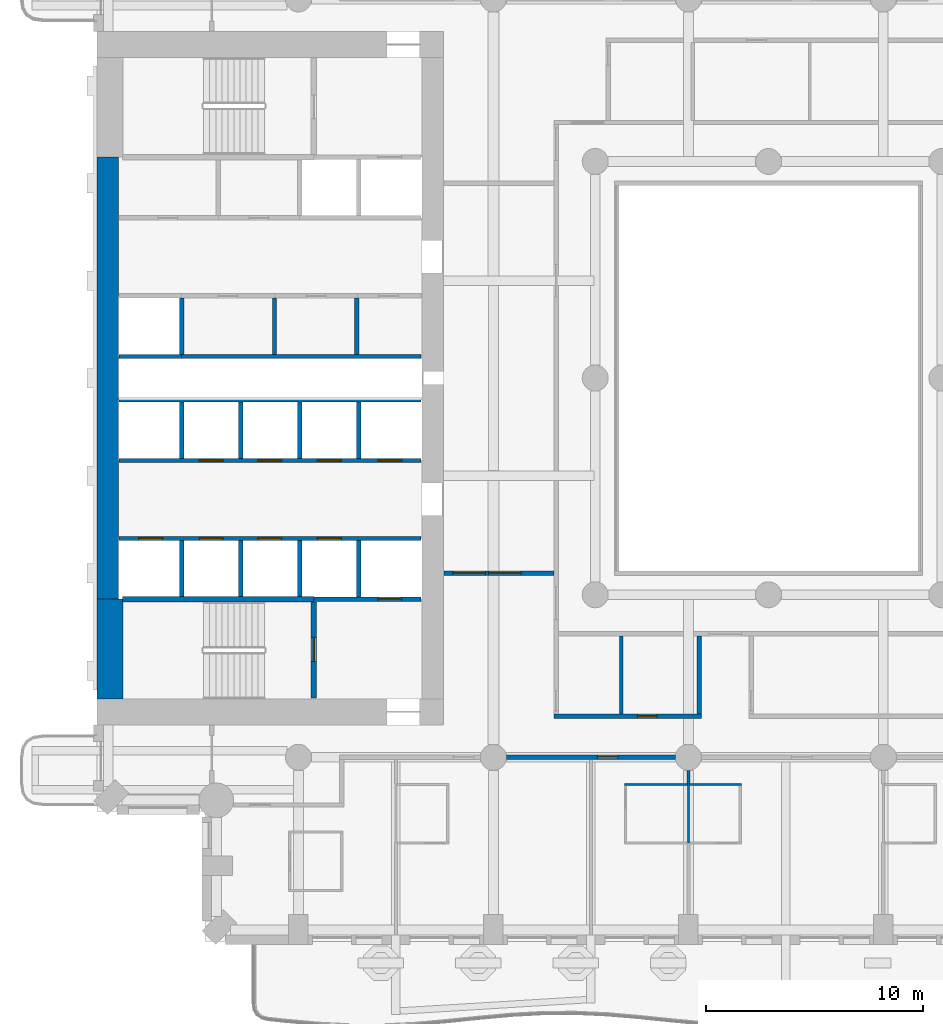
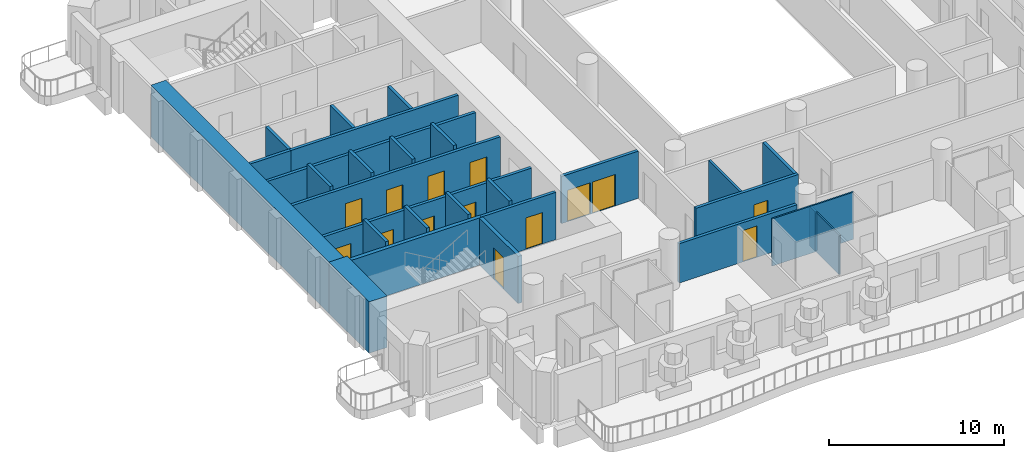
# One storey, part 4 of 20: 29 walls, 14 doors, 14 openings.
"""IFC4 building model written with IfcOpenShell, lengths in metres."""

from ifc_helpers import new_model, si_unit, direction, frame, frame_2d, origin, place, context, subcontext, project, spatial, rectangle, extrude, material, layer, layer_set, type_object, element, fill, save


model = new_model("IFC4")

# Units and contexts
model_context = context("Model", 3, precision=1e-05, world=origin(), true_north=direction((0.0, 1.0)))
body_context = subcontext(model_context, "Body", "Model", "MODEL_VIEW")
ifc_project = project(units=[si_unit("LENGTHUNIT", "METRE"), si_unit("AREAUNIT", "SQUARE_METRE"), si_unit("VOLUMEUNIT", "CUBIC_METRE"), si_unit("PLANEANGLEUNIT", "RADIAN"), si_unit("MASSUNIT", "GRAM", prefix="KILO")], contexts=[model_context])

# Site, building, storey
site_placement = place(None, origin())
site = spatial("IfcSite", under=ifc_project, at=site_placement, CompositionType="ELEMENT")
building_placement = place(site_placement, origin())
building = spatial("IfcBuilding", under=site, at=building_placement, Name="Cypress Arch Tower", CompositionType="ELEMENT")
storey_placement = place(building_placement, frame((0.0, 0.0, 91.5)))
storey = spatial("IfcBuildingStorey", under=building, at=storey_placement, Name="L17", CompositionType="ELEMENT", Elevation=91.5)

# Walls
ifc_material_1 = material(Name="Concrete C80/95", Category="concrete")
ifc_layer_1 = layer(ifc_material_1, 1.0)
ifc_layer_set_1 = layer_set([ifc_layer_1], Name="Core wall CW1000 C80/95")
wall_type_1 = type_object("IfcWallType", Name="Core wall CW1000 C80/95", PredefinedType="SHEAR", material=ifc_layer_set_1)
wall_1_placement = place(storey_placement, frame((-29.5, -10.199951171875, 0.0), z_axis=(0.0, 0.0, 1.0), x_axis=(0.0, 1.0, 0.0)))
element("IfcWall", 1, at=wall_1_placement, inside=storey, type_object=wall_type_1, Name="Core wall", PredefinedType="SHEAR", context=body_context, shape_type="SweptSolid", body=[
    extrude(rectangle(XDim=20.39990234375, YDim=1.0, at=frame_2d((10.199951171875, 0.0))), origin(), (0.0, 0.0, 1.0), 3.60009765625),
])
ifc_material_2 = material(Name="Concrete C80/95", Category="concrete")
ifc_layer_2 = layer(ifc_material_2, 1.199951171875)
ifc_layer_set_2 = layer_set([ifc_layer_2], Name="Core wall CW1200 C80/95")
wall_type_2 = type_object("IfcWallType", Name="Core wall CW1200 C80/95", PredefinedType="SHEAR", material=ifc_layer_set_2)
wall_2_placement = place(storey_placement, frame((-29.39990234375, -14.800048828125, 0.0), z_axis=(0.0, 0.0, 1.0), x_axis=(0.0, 1.0, 0.0)))
element("IfcWall", 2, at=wall_2_placement, inside=storey, type_object=wall_type_2, Name="Core wall", PredefinedType="SHEAR", context=body_context, shape_type="SweptSolid", body=[
    extrude(rectangle(XDim=4.60009765625, YDim=1.199951171875, at=frame_2d((2.300048828125, 0.0))), origin(), (0.0, 0.0, 1.0), 3.60009765625),
])

# Wall, opening, door
ifc_material_3 = material(Name="Concrete blockwork, plastered, rated", Category="masonry")
ifc_layer_3 = layer(ifc_material_3, 0.199951171875)
ifc_layer_set_3 = layer_set([ifc_layer_3], Name="Corridor wall FW200")
wall_type_3 = type_object("IfcWallType", Name="Corridor wall FW200", PredefinedType="PARTITIONING", material=ifc_layer_set_3)
wall_3_placement = place(storey_placement, frame((-11.10009765625, -17.5, 0.0), z_axis=(0.0, 0.0, 1.0), x_axis=(1.0, 0.0, 0.0)))
wall_3 = element("IfcWall", 3, at=wall_3_placement, inside=storey, type_object=wall_type_3, Name="Corridor wall", PredefinedType="PARTITIONING", context=body_context, shape_type="SweptSolid", body=[
    extrude(rectangle(XDim=7.800048828125, YDim=0.199951171875, at=frame_2d((3.89990234375, 0.0))), origin(), (0.0, 0.0, 1.0), 2.75),
])
opening_1_placement = place(wall_3_placement, frame((4.199951171875, 0.0, 0.0)))
opening_1 = element("IfcOpeningElement", 4, at=opening_1_placement, cuts=wall_3, Name="Opening D02", PredefinedType="OPENING", context=body_context, shape_type="SweptSolid", body=[
    extrude(rectangle(XDim=0.949951171875, YDim=2.199951171875, at=frame_2d((0.47509765625, 1.10009765625))), frame((0.0, 0.10986328125, 0.0), z_axis=(0.0, -1.0, 0.0), x_axis=(1.0, 0.0, 0.0)), (0.0, 0.0, 1.0), 0.219970703125),
])
ifc_material_4 = material(Name="Timber flush door, fire resisting", Category="wood")
door_type_1 = type_object("IfcDoorType", Name="Room door D02 950x2200", OperationType="SINGLE_SWING_LEFT", PredefinedType="DOOR", material=ifc_material_4)
door_1_placement = place(opening_1_placement, origin())
door_1 = element("IfcDoor", 5, at=door_1_placement, inside=storey, type_object=door_type_1, Name="Room door", OperationType="SINGLE_SWING_RIGHT", OverallHeight=2.199951171875, OverallWidth=0.949951171875, PredefinedType="DOOR", context=body_context, shape_type="SweptSolid", body=[
    extrude(rectangle(XDim=0.949951171875, YDim=2.199951171875, at=frame_2d((0.47509765625, 1.10009765625))), frame((0.0, 0.02490234375, 0.0), z_axis=(0.0, -1.0, 0.0), x_axis=(1.0, 0.0, 0.0)), (0.0, 0.0, 1.0), 0.050048828125),
])
fill(opening_1, door_1)

# Wall, openings, doors
wall_4_placement = place(storey_placement, frame((-13.969970703125, -9.0, 0.0), z_axis=(0.0, 0.0, 1.0), x_axis=(1.0, 0.0, 0.0)))
wall_4 = element("IfcWall", 6, at=wall_4_placement, inside=storey, type_object=wall_type_3, Name="Corridor wall", PredefinedType="PARTITIONING", context=body_context, shape_type="SweptSolid", body=[
    extrude(rectangle(XDim=5.070068359375, YDim=0.199951171875, at=frame_2d((2.53515625, 0.0))), origin(), (0.0, 0.0, 1.0), 3.300048828125),
])
opening_2_placement = place(wall_4_placement, frame((0.39990234375, 0.0, 0.0)))
opening_2 = element("IfcOpeningElement", 7, at=opening_2_placement, cuts=wall_4, Name="Opening D04", PredefinedType="OPENING", context=body_context, shape_type="SweptSolid", body=[
    extrude(rectangle(XDim=1.5, YDim=2.199951171875, at=frame_2d((0.75, 1.10009765625))), frame((0.0, 0.10986328125, 0.0), z_axis=(0.0, -1.0, 0.0), x_axis=(1.0, 0.0, 0.0)), (0.0, 0.0, 1.0), 0.219970703125),
])
opening_3_placement = place(wall_4_placement, frame((2.050048828125, 0.0, 0.0)))
opening_3 = element("IfcOpeningElement", 8, at=opening_3_placement, cuts=wall_4, Name="Opening D04", PredefinedType="OPENING", context=body_context, shape_type="SweptSolid", body=[
    extrude(rectangle(XDim=1.5, YDim=2.199951171875, at=frame_2d((0.75, 1.10009765625))), frame((0.0, 0.10986328125, 0.0), z_axis=(0.0, -1.0, 0.0), x_axis=(1.0, 0.0, 0.0)), (0.0, 0.0, 1.0), 0.219970703125),
])
ifc_material_5 = material(Name="Timber double door", Category="wood")
door_type_2 = type_object("IfcDoorType", Name="Double door D04 1500x2200", OperationType="DOUBLE_DOOR_SINGLE_SWING", PredefinedType="DOOR", material=ifc_material_5)
door_2_placement = place(opening_2_placement, origin())
door_2 = element("IfcDoor", 9, at=door_2_placement, inside=storey, type_object=door_type_2, Name="Double door", OperationType="DOUBLE_DOOR_SINGLE_SWING", OverallHeight=2.199951171875, OverallWidth=1.5, PredefinedType="DOOR", context=body_context, shape_type="SweptSolid", body=[
    extrude(rectangle(XDim=1.5, YDim=2.199951171875, at=frame_2d((0.75, 1.10009765625))), frame((0.0, 0.02490234375, 0.0), z_axis=(0.0, -1.0, 0.0), x_axis=(1.0, 0.0, 0.0)), (0.0, 0.0, 1.0), 0.050048828125),
])
fill(opening_2, door_2)
door_3_placement = place(opening_3_placement, origin())
door_3 = element("IfcDoor", 10, at=door_3_placement, inside=storey, type_object=door_type_2, Name="Double door", OperationType="DOUBLE_DOOR_SINGLE_SWING", OverallHeight=2.199951171875, OverallWidth=1.5, PredefinedType="DOOR", context=body_context, shape_type="SweptSolid", body=[
    extrude(rectangle(XDim=1.5, YDim=2.199951171875, at=frame_2d((0.75, 1.10009765625))), frame((0.0, 0.02490234375, 0.0), z_axis=(0.0, -1.0, 0.0), x_axis=(1.0, 0.0, 0.0)), (0.0, 0.0, 1.0), 0.050048828125),
])
fill(opening_3, door_3)

# Wall, opening, door
wall_5_placement = place(storey_placement, frame((-8.89990234375, -15.60009765625, 0.0), z_axis=(0.0, 0.0, 1.0), x_axis=(1.0, 0.0, 0.0)))
wall_5 = element("IfcWall", 11, at=wall_5_placement, inside=storey, type_object=wall_type_3, Name="Corridor wall", PredefinedType="PARTITIONING", context=body_context, shape_type="SweptSolid", body=[
    extrude(rectangle(XDim=6.7998046875, YDim=0.199951171875, at=frame_2d((3.39990234375, 0.0))), origin(), (0.0, 0.0, 1.0), 3.300048828125),
])
opening_4_placement = place(wall_5_placement, frame((3.85009765625, 0.0, 0.0)))
opening_4 = element("IfcOpeningElement", 12, at=opening_4_placement, cuts=wall_5, Name="Opening D05", PredefinedType="OPENING", context=body_context, shape_type="SweptSolid", body=[
    extrude(rectangle(XDim=0.89990234375, YDim=2.199951171875, at=frame_2d((0.449951171875, 1.10009765625))), frame((0.0, 0.10986328125, 0.0), z_axis=(0.0, -1.0, 0.0), x_axis=(1.0, 0.0, 0.0)), (0.0, 0.0, 1.0), 0.219970703125),
])
ifc_material_6 = material(Name="Timber flush door", Category="wood")
door_type_3 = type_object("IfcDoorType", Name="Service door D05 900x2200", OperationType="SINGLE_SWING_LEFT", PredefinedType="DOOR", material=ifc_material_6)
door_4_placement = place(opening_4_placement, origin())
door_4 = element("IfcDoor", 13, at=door_4_placement, inside=storey, type_object=door_type_3, Name="Service door", OperationType="SINGLE_SWING_LEFT", OverallHeight=2.199951171875, OverallWidth=0.89990234375, PredefinedType="DOOR", context=body_context, shape_type="SweptSolid", body=[
    extrude(rectangle(XDim=0.89990234375, YDim=2.199951171875, at=frame_2d((0.449951171875, 1.10009765625))), frame((0.0, 0.02490234375, 0.0), z_axis=(0.0, -1.0, 0.0), x_axis=(1.0, 0.0, 0.0)), (0.0, 0.0, 1.0), 0.050048828125),
])
fill(opening_4, door_4)

# Walls
wall_6_placement = place(storey_placement, frame((-2.199951171875, -15.5, 0.0), z_axis=(0.0, 0.0, 1.0), x_axis=(0.0, 1.0, 0.0)))
element("IfcWall", 14, at=wall_6_placement, inside=storey, type_object=wall_type_3, Name="Corridor wall", PredefinedType="PARTITIONING", context=body_context, shape_type="SweptSolid", body=[
    extrude(rectangle(XDim=3.60009765625, YDim=0.199951171875, at=frame_2d((1.800048828125, 0.0))), origin(), (0.0, 0.0, 1.0), 3.300048828125),
])
ifc_material_7 = material(Name="Blockwork, plastered both sides", Category="masonry")
ifc_layer_4 = layer(ifc_material_7, 0.14990234375)
ifc_layer_set_4 = layer_set([ifc_layer_4], Name="Partition PW150")
wall_type_4 = type_object("IfcWallType", Name="Partition PW150", PredefinedType="PARTITIONING", material=ifc_layer_set_4)
wall_7_placement = place(storey_placement, frame((-5.800048828125, -15.5, 0.0), z_axis=(0.0, 0.0, 1.0), x_axis=(0.0, 1.0, 0.0)))
element("IfcWall", 15, at=wall_7_placement, inside=storey, type_object=wall_type_4, Name="Partition", PredefinedType="PARTITIONING", context=body_context, shape_type="SweptSolid", body=[
    extrude(rectangle(XDim=3.60009765625, YDim=0.14990234375, at=frame_2d((1.800048828125, 0.0))), origin(), (0.0, 0.0, 1.0), 3.300048828125),
])
wall_8_placement = place(storey_placement, frame((-2.699951171875, -18.72998046875, 0.0), z_axis=(0.0, 0.0, 1.0), x_axis=(0.0, 1.0, 0.0)))
element("IfcWall", 16, at=wall_8_placement, inside=storey, type_object=wall_type_4, Name="Partition", PredefinedType="PARTITIONING", context=body_context, shape_type="SweptSolid", body=[
    extrude(rectangle(XDim=0.6298828125, YDim=0.14990234375, at=frame_2d((0.31494140625, 0.0))), origin(), (0.0, 0.0, 1.0), 2.75),
])
ifc_material_8 = material(Name="Reinforced blockwork, plastered, rated", Category="masonry")
ifc_layer_5 = layer(ifc_material_8, 0.199951171875)
ifc_layer_set_5 = layer_set([ifc_layer_5], Name="Plant and riser wall PL200")
wall_type_5 = type_object("IfcWallType", Name="Plant and riser wall PL200", PredefinedType="PARTITIONING", material=ifc_layer_set_5)
wall_9_placement = place(storey_placement, frame((-26.10009765625, 1.0, 0.0), z_axis=(0.0, 0.0, 1.0), x_axis=(1.0, 0.0, 0.0)))
element("IfcWall", 17, at=wall_9_placement, inside=storey, type_object=wall_type_5, Name="Plant and riser wall", PredefinedType="PARTITIONING", context=body_context, shape_type="SweptSolid", body=[
    extrude(rectangle(XDim=11.070068359375, YDim=0.199951171875, at=frame_2d((5.53515625, 0.0))), origin(), (0.0, 0.0, 1.0), 3.300048828125),
])
for number, where, z_axis, x_axis, name in (
    (18, (-21.800048828125, 1.10009765625, 0.0), (0.0, 0.0, 1.0), (0.0, 1.0, 0.0), "Plant and riser wall"),
    (19, (-18.0, 1.10009765625, 0.0), (0.0, 0.0, 1.0), (0.0, 1.0, 0.0), "Plant and riser wall"),
):
    element("IfcWall", number, at=place(storey_placement, frame(where, z_axis=z_axis, x_axis=x_axis)), inside=storey, type_object=wall_type_5, Name=name, PredefinedType="PARTITIONING", context=body_context, shape_type="SweptSolid", body=[
        extrude(rectangle(XDim=2.599853515625, YDim=0.199951171875, at=frame_2d((1.2998046875, 0.0))), origin(), (0.0, 0.0, 1.0), 3.300048828125),
    ])

# Wall, openings, doors
ifc_material_9 = material(Name="Concrete C50/60", Category="concrete")
ifc_layer_6 = layer(ifc_material_9, 0.199951171875)
ifc_layer_set_6 = layer_set([ifc_layer_6], Name="Shaft wall SH200")
wall_type_6 = type_object("IfcWallType", Name="Shaft wall SH200", PredefinedType="SHEAR", material=ifc_layer_set_6)
wall_10_placement = place(storey_placement, frame((-28.969970703125, -7.39990234375, 0.0), z_axis=(0.0, 0.0, 1.0), x_axis=(1.0, 0.0, 0.0)))
wall_10 = element("IfcWall", 20, at=wall_10_placement, inside=storey, type_object=wall_type_6, Name="Shaft wall", PredefinedType="SHEAR", context=body_context, shape_type="SweptSolid", body=[
    extrude(rectangle(XDim=13.93994140625, YDim=0.199951171875, at=frame_2d((6.969970703125, 0.0))), origin(), (0.0, 0.0, 1.0), 3.300048828125),
])
opening_5_placement = place(wall_10_placement, frame((0.89990234375, 0.0, 0.0)))
opening_5 = element("IfcOpeningElement", 21, at=opening_5_placement, cuts=wall_10, Name="Opening LD-LR1", PredefinedType="OPENING", context=body_context, shape_type="SweptSolid", body=[
    extrude(rectangle(XDim=1.10009765625, YDim=2.199951171875, at=frame_2d((0.550048828125, 1.10009765625))), frame((0.0, 0.10986328125, 0.0), z_axis=(0.0, -1.0, 0.0), x_axis=(1.0, 0.0, 0.0)), (0.0, 0.0, 1.0), 0.219970703125),
])
opening_6_placement = place(wall_10_placement, frame((3.699951171875, 0.0, 0.0)))
opening_6 = element("IfcOpeningElement", 22, at=opening_6_placement, cuts=wall_10, Name="Opening LD-LR2", PredefinedType="OPENING", context=body_context, shape_type="SweptSolid", body=[
    extrude(rectangle(XDim=1.10009765625, YDim=2.199951171875, at=frame_2d((0.550048828125, 1.10009765625))), frame((0.0, 0.10986328125, 0.0), z_axis=(0.0, -1.0, 0.0), x_axis=(1.0, 0.0, 0.0)), (0.0, 0.0, 1.0), 0.219970703125),
])
opening_7_placement = place(wall_10_placement, frame((6.39990234375, 0.0, 0.0)))
opening_7 = element("IfcOpeningElement", 23, at=opening_7_placement, cuts=wall_10, Name="Opening LD-LR3", PredefinedType="OPENING", context=body_context, shape_type="SweptSolid", body=[
    extrude(rectangle(XDim=1.10009765625, YDim=2.199951171875, at=frame_2d((0.550048828125, 1.10009765625))), frame((0.0, 0.10986328125, 0.0), z_axis=(0.0, -1.0, 0.0), x_axis=(1.0, 0.0, 0.0)), (0.0, 0.0, 1.0), 0.219970703125),
])
opening_8_placement = place(wall_10_placement, frame((9.14990234375, 0.0, 0.0)))
opening_8 = element("IfcOpeningElement", 24, at=opening_8_placement, cuts=wall_10, Name="Opening LD-LR4", PredefinedType="OPENING", context=body_context, shape_type="SweptSolid", body=[
    extrude(rectangle(XDim=1.10009765625, YDim=2.199951171875, at=frame_2d((0.550048828125, 1.10009765625))), frame((0.0, 0.10986328125, 0.0), z_axis=(0.0, -1.0, 0.0), x_axis=(1.0, 0.0, 0.0)), (0.0, 0.0, 1.0), 0.219970703125),
])
ifc_material_10 = material(Name="Stainless steel centre-opening landing door, rated", Category="steel")
door_type_4 = type_object("IfcDoorType", Name="Lift landing door LD 1100x2200", OperationType="DOUBLE_DOOR_SLIDING", PredefinedType="DOOR", material=ifc_material_10)
door_5_placement = place(opening_5_placement, origin())
door_5 = element("IfcDoor", 25, at=door_5_placement, inside=storey, type_object=door_type_4, Name="Lift landing doors LR1", OperationType="DOUBLE_DOOR_SLIDING", OverallHeight=2.199951171875, OverallWidth=1.10009765625, PredefinedType="DOOR", context=body_context, shape_type="SweptSolid", body=[
    extrude(rectangle(XDim=1.10009765625, YDim=2.199951171875, at=frame_2d((0.550048828125, 1.10009765625))), frame((0.0, 0.02490234375, 0.0), z_axis=(0.0, -1.0, 0.0), x_axis=(1.0, 0.0, 0.0)), (0.0, 0.0, 1.0), 0.050048828125),
])
fill(opening_5, door_5)
door_6_placement = place(opening_6_placement, origin())
door_6 = element("IfcDoor", 26, at=door_6_placement, inside=storey, type_object=door_type_4, Name="Lift landing doors LR2", OperationType="DOUBLE_DOOR_SLIDING", OverallHeight=2.199951171875, OverallWidth=1.10009765625, PredefinedType="DOOR", context=body_context, shape_type="SweptSolid", body=[
    extrude(rectangle(XDim=1.10009765625, YDim=2.199951171875, at=frame_2d((0.550048828125, 1.10009765625))), frame((0.0, 0.02490234375, 0.0), z_axis=(0.0, -1.0, 0.0), x_axis=(1.0, 0.0, 0.0)), (0.0, 0.0, 1.0), 0.050048828125),
])
fill(opening_6, door_6)
door_7_placement = place(opening_7_placement, origin())
door_7 = element("IfcDoor", 27, at=door_7_placement, inside=storey, type_object=door_type_4, Name="Lift landing doors LR3", OperationType="DOUBLE_DOOR_SLIDING", OverallHeight=2.199951171875, OverallWidth=1.10009765625, PredefinedType="DOOR", context=body_context, shape_type="SweptSolid", body=[
    extrude(rectangle(XDim=1.10009765625, YDim=2.199951171875, at=frame_2d((0.550048828125, 1.10009765625))), frame((0.0, 0.02490234375, 0.0), z_axis=(0.0, -1.0, 0.0), x_axis=(1.0, 0.0, 0.0)), (0.0, 0.0, 1.0), 0.050048828125),
])
fill(opening_7, door_7)
door_8_placement = place(opening_8_placement, origin())
door_8 = element("IfcDoor", 28, at=door_8_placement, inside=storey, type_object=door_type_4, Name="Lift landing doors LR4", OperationType="DOUBLE_DOOR_SLIDING", OverallHeight=2.199951171875, OverallWidth=1.10009765625, PredefinedType="DOOR", context=body_context, shape_type="SweptSolid", body=[
    extrude(rectangle(XDim=1.10009765625, YDim=2.199951171875, at=frame_2d((0.550048828125, 1.10009765625))), frame((0.0, 0.02490234375, 0.0), z_axis=(0.0, -1.0, 0.0), x_axis=(1.0, 0.0, 0.0)), (0.0, 0.0, 1.0), 0.050048828125),
])
fill(opening_8, door_8)

wall_11_placement = place(storey_placement, frame((-28.969970703125, -3.800048828125, 0.0), z_axis=(0.0, 0.0, 1.0), x_axis=(1.0, 0.0, 0.0)))
wall_11 = element("IfcWall", 29, at=wall_11_placement, inside=storey, type_object=wall_type_6, Name="Shaft wall", PredefinedType="SHEAR", context=body_context, shape_type="SweptSolid", body=[
    extrude(rectangle(XDim=13.93994140625, YDim=0.199951171875, at=frame_2d((6.969970703125, 0.0))), origin(), (0.0, 0.0, 1.0), 3.300048828125),
])
opening_9_placement = place(wall_11_placement, frame((3.699951171875, 0.0, 0.0)))
opening_9 = element("IfcOpeningElement", 30, at=opening_9_placement, cuts=wall_11, Name="Opening LD-LR5", PredefinedType="OPENING", context=body_context, shape_type="SweptSolid", body=[
    extrude(rectangle(XDim=1.10009765625, YDim=2.199951171875, at=frame_2d((0.550048828125, 1.10009765625))), frame((0.0, 0.10986328125, 0.0), z_axis=(0.0, -1.0, 0.0), x_axis=(1.0, 0.0, 0.0)), (0.0, 0.0, 1.0), 0.219970703125),
])
opening_10_placement = place(wall_11_placement, frame((6.39990234375, 0.0, 0.0)))
opening_10 = element("IfcOpeningElement", 31, at=opening_10_placement, cuts=wall_11, Name="Opening LD-LR6", PredefinedType="OPENING", context=body_context, shape_type="SweptSolid", body=[
    extrude(rectangle(XDim=1.10009765625, YDim=2.199951171875, at=frame_2d((0.550048828125, 1.10009765625))), frame((0.0, 0.10986328125, 0.0), z_axis=(0.0, -1.0, 0.0), x_axis=(1.0, 0.0, 0.0)), (0.0, 0.0, 1.0), 0.219970703125),
])
opening_11_placement = place(wall_11_placement, frame((9.14990234375, 0.0, 0.0)))
opening_11 = element("IfcOpeningElement", 32, at=opening_11_placement, cuts=wall_11, Name="Opening LD-LR7", PredefinedType="OPENING", context=body_context, shape_type="SweptSolid", body=[
    extrude(rectangle(XDim=1.10009765625, YDim=2.199951171875, at=frame_2d((0.550048828125, 1.10009765625))), frame((0.0, 0.10986328125, 0.0), z_axis=(0.0, -1.0, 0.0), x_axis=(1.0, 0.0, 0.0)), (0.0, 0.0, 1.0), 0.219970703125),
])
opening_12_placement = place(wall_11_placement, frame((11.949951171875, 0.0, 0.0)))
opening_12 = element("IfcOpeningElement", 33, at=opening_12_placement, cuts=wall_11, Name="Opening LD-LR8", PredefinedType="OPENING", context=body_context, shape_type="SweptSolid", body=[
    extrude(rectangle(XDim=1.10009765625, YDim=2.199951171875, at=frame_2d((0.550048828125, 1.10009765625))), frame((0.0, 0.10986328125, 0.0), z_axis=(0.0, -1.0, 0.0), x_axis=(1.0, 0.0, 0.0)), (0.0, 0.0, 1.0), 0.219970703125),
])
door_9_placement = place(opening_9_placement, origin())
door_9 = element("IfcDoor", 34, at=door_9_placement, inside=storey, type_object=door_type_4, Name="Lift landing doors LR5", OperationType="DOUBLE_DOOR_SLIDING", OverallHeight=2.199951171875, OverallWidth=1.10009765625, PredefinedType="DOOR", context=body_context, shape_type="SweptSolid", body=[
    extrude(rectangle(XDim=1.10009765625, YDim=2.199951171875, at=frame_2d((0.550048828125, 1.10009765625))), frame((0.0, 0.02490234375, 0.0), z_axis=(0.0, -1.0, 0.0), x_axis=(1.0, 0.0, 0.0)), (0.0, 0.0, 1.0), 0.050048828125),
])
fill(opening_9, door_9)
door_10_placement = place(opening_10_placement, origin())
door_10 = element("IfcDoor", 35, at=door_10_placement, inside=storey, type_object=door_type_4, Name="Lift landing doors LR6", OperationType="DOUBLE_DOOR_SLIDING", OverallHeight=2.199951171875, OverallWidth=1.10009765625, PredefinedType="DOOR", context=body_context, shape_type="SweptSolid", body=[
    extrude(rectangle(XDim=1.10009765625, YDim=2.199951171875, at=frame_2d((0.550048828125, 1.10009765625))), frame((0.0, 0.02490234375, 0.0), z_axis=(0.0, -1.0, 0.0), x_axis=(1.0, 0.0, 0.0)), (0.0, 0.0, 1.0), 0.050048828125),
])
fill(opening_10, door_10)
door_11_placement = place(opening_11_placement, origin())
door_11 = element("IfcDoor", 36, at=door_11_placement, inside=storey, type_object=door_type_4, Name="Lift landing doors LR7", OperationType="DOUBLE_DOOR_SLIDING", OverallHeight=2.199951171875, OverallWidth=1.10009765625, PredefinedType="DOOR", context=body_context, shape_type="SweptSolid", body=[
    extrude(rectangle(XDim=1.10009765625, YDim=2.199951171875, at=frame_2d((0.550048828125, 1.10009765625))), frame((0.0, 0.02490234375, 0.0), z_axis=(0.0, -1.0, 0.0), x_axis=(1.0, 0.0, 0.0)), (0.0, 0.0, 1.0), 0.050048828125),
])
fill(opening_11, door_11)
door_12_placement = place(opening_12_placement, origin())
door_12 = element("IfcDoor", 37, at=door_12_placement, inside=storey, type_object=door_type_4, Name="Lift landing doors LR8", OperationType="DOUBLE_DOOR_SLIDING", OverallHeight=2.199951171875, OverallWidth=1.10009765625, PredefinedType="DOOR", context=body_context, shape_type="SweptSolid", body=[
    extrude(rectangle(XDim=1.10009765625, YDim=2.199951171875, at=frame_2d((0.550048828125, 1.10009765625))), frame((0.0, 0.02490234375, 0.0), z_axis=(0.0, -1.0, 0.0), x_axis=(1.0, 0.0, 0.0)), (0.0, 0.0, 1.0), 0.050048828125),
])
fill(opening_12, door_12)

# Walls
wall_12_placement = place(storey_placement, frame((-28.969970703125, -1.0, 0.0), z_axis=(0.0, 0.0, 1.0), x_axis=(1.0, 0.0, 0.0)))
element("IfcWall", 38, at=wall_12_placement, inside=storey, type_object=wall_type_6, Name="Shaft wall", PredefinedType="SHEAR", context=body_context, shape_type="SweptSolid", body=[
    extrude(rectangle(XDim=13.93994140625, YDim=0.199951171875, at=frame_2d((6.969970703125, 0.0))), origin(), (0.0, 0.0, 1.0), 3.300048828125),
])
wall_13_placement = place(storey_placement, frame((-28.969970703125, 1.0, 0.0), z_axis=(0.0, 0.0, 1.0), x_axis=(1.0, 0.0, 0.0)))
element("IfcWall", 39, at=wall_13_placement, inside=storey, type_object=wall_type_6, Name="Shaft wall", PredefinedType="SHEAR", context=body_context, shape_type="SweptSolid", body=[
    extrude(rectangle(XDim=2.869873046875, YDim=0.199951171875, at=frame_2d((1.43505859375, 0.0))), origin(), (0.0, 0.0, 1.0), 3.300048828125),
])
wall_14_placement = place(storey_placement, frame((-26.080078125, -10.074951171875, 0.0), z_axis=(0.0, 0.0, 1.0), x_axis=(0.0, 1.0, 0.0)))
element("IfcWall", 40, at=wall_14_placement, inside=storey, type_object=wall_type_6, Name="Shaft wall", PredefinedType="SHEAR", context=body_context, shape_type="SweptSolid", body=[
    extrude(rectangle(XDim=2.574951171875, YDim=0.199951171875, at=frame_2d((1.28759765625, 0.0))), origin(), (0.0, 0.0, 1.0), 3.60009765625),
])
wall_15_placement = place(storey_placement, frame((-26.080078125, -3.699951171875, 0.0), z_axis=(0.0, 0.0, 1.0), x_axis=(0.0, 1.0, 0.0)))
element("IfcWall", 41, at=wall_15_placement, inside=storey, type_object=wall_type_6, Name="Shaft wall", PredefinedType="SHEAR", context=body_context, shape_type="SweptSolid", body=[
    extrude(rectangle(XDim=2.599853515625, YDim=0.199951171875, at=frame_2d((1.2998046875, 0.0))), origin(), (0.0, 0.0, 1.0), 3.60009765625),
])
wall_16_placement = place(storey_placement, frame((-26.080078125, 1.10009765625, 0.0), z_axis=(0.0, 0.0, 1.0), x_axis=(0.0, 1.0, 0.0)))
element("IfcWall", 42, at=wall_16_placement, inside=storey, type_object=wall_type_6, Name="Shaft wall", PredefinedType="SHEAR", context=body_context, shape_type="SweptSolid", body=[
    extrude(rectangle(XDim=2.599853515625, YDim=0.199951171875, at=frame_2d((1.2998046875, 0.0))), origin(), (0.0, 0.0, 1.0), 3.300048828125),
])
wall_17_placement = place(storey_placement, frame((-23.360107421875, -10.074951171875, 0.0), z_axis=(0.0, 0.0, 1.0), x_axis=(0.0, 1.0, 0.0)))
element("IfcWall", 43, at=wall_17_placement, inside=storey, type_object=wall_type_6, Name="Shaft wall", PredefinedType="SHEAR", context=body_context, shape_type="SweptSolid", body=[
    extrude(rectangle(XDim=2.574951171875, YDim=0.199951171875, at=frame_2d((1.28759765625, 0.0))), origin(), (0.0, 0.0, 1.0), 3.60009765625),
])
wall_18_placement = place(storey_placement, frame((-23.360107421875, -3.699951171875, 0.0), z_axis=(0.0, 0.0, 1.0), x_axis=(0.0, 1.0, 0.0)))
element("IfcWall", 44, at=wall_18_placement, inside=storey, type_object=wall_type_6, Name="Shaft wall", PredefinedType="SHEAR", context=body_context, shape_type="SweptSolid", body=[
    extrude(rectangle(XDim=2.599853515625, YDim=0.199951171875, at=frame_2d((1.2998046875, 0.0))), origin(), (0.0, 0.0, 1.0), 3.60009765625),
])
wall_19_placement = place(storey_placement, frame((-20.639892578125, -10.074951171875, 0.0), z_axis=(0.0, 0.0, 1.0), x_axis=(0.0, 1.0, 0.0)))
element("IfcWall", 45, at=wall_19_placement, inside=storey, type_object=wall_type_6, Name="Shaft wall", PredefinedType="SHEAR", context=body_context, shape_type="SweptSolid", body=[
    extrude(rectangle(XDim=2.574951171875, YDim=0.199951171875, at=frame_2d((1.28759765625, 0.0))), origin(), (0.0, 0.0, 1.0), 3.60009765625),
])
wall_20_placement = place(storey_placement, frame((-20.639892578125, -3.699951171875, 0.0), z_axis=(0.0, 0.0, 1.0), x_axis=(0.0, 1.0, 0.0)))
element("IfcWall", 46, at=wall_20_placement, inside=storey, type_object=wall_type_6, Name="Shaft wall", PredefinedType="SHEAR", context=body_context, shape_type="SweptSolid", body=[
    extrude(rectangle(XDim=2.599853515625, YDim=0.199951171875, at=frame_2d((1.2998046875, 0.0))), origin(), (0.0, 0.0, 1.0), 3.60009765625),
])

# Wall, opening, door
wall_21_placement = place(storey_placement, frame((-19.97998046875, -10.199951171875, 0.0), z_axis=(0.0, 0.0, 1.0), x_axis=(1.0, 0.0, 0.0)))
wall_21 = element("IfcWall", 47, at=wall_21_placement, inside=storey, type_object=wall_type_6, Name="Shaft wall", PredefinedType="SHEAR", context=body_context, shape_type="SweptSolid", body=[
    extrude(rectangle(XDim=4.949951171875, YDim=0.199951171875, at=frame_2d((2.47509765625, 0.0))), origin(), (0.0, 0.0, 1.0), 3.300048828125),
])
opening_13_placement = place(wall_21_placement, frame((2.949951171875, 0.0, 0.0)))
opening_13 = element("IfcOpeningElement", 48, at=opening_13_placement, cuts=wall_21, Name="Opening LD-FL1", PredefinedType="OPENING", context=body_context, shape_type="SweptSolid", body=[
    extrude(rectangle(XDim=1.10009765625, YDim=2.199951171875, at=frame_2d((0.550048828125, 1.10009765625))), frame((0.0, 0.10986328125, 0.0), z_axis=(0.0, -1.0, 0.0), x_axis=(1.0, 0.0, 0.0)), (0.0, 0.0, 1.0), 0.219970703125),
])
door_13_placement = place(opening_13_placement, origin())
door_13 = element("IfcDoor", 49, at=door_13_placement, inside=storey, type_object=door_type_4, Name="Lift landing doors FL1", OperationType="DOUBLE_DOOR_SLIDING", OverallHeight=2.199951171875, OverallWidth=1.10009765625, PredefinedType="DOOR", context=body_context, shape_type="SweptSolid", body=[
    extrude(rectangle(XDim=1.10009765625, YDim=2.199951171875, at=frame_2d((0.550048828125, 1.10009765625))), frame((0.0, 0.02490234375, 0.0), z_axis=(0.0, -1.0, 0.0), x_axis=(1.0, 0.0, 0.0)), (0.0, 0.0, 1.0), 0.050048828125),
])
fill(opening_13, door_13)

# Walls
wall_22_placement = place(storey_placement, frame((-17.919921875, -10.10009765625, 0.0), z_axis=(0.0, 0.0, 1.0), x_axis=(0.0, 1.0, 0.0)))
element("IfcWall", 50, at=wall_22_placement, inside=storey, type_object=wall_type_6, Name="Shaft wall", PredefinedType="SHEAR", context=body_context, shape_type="SweptSolid", body=[
    extrude(rectangle(XDim=2.60009765625, YDim=0.199951171875, at=frame_2d((1.300048828125, 0.0))), origin(), (0.0, 0.0, 1.0), 3.60009765625),
])
wall_23_placement = place(storey_placement, frame((-17.919921875, -3.699951171875, 0.0), z_axis=(0.0, 0.0, 1.0), x_axis=(0.0, 1.0, 0.0)))
element("IfcWall", 51, at=wall_23_placement, inside=storey, type_object=wall_type_6, Name="Shaft wall", PredefinedType="SHEAR", context=body_context, shape_type="SweptSolid", body=[
    extrude(rectangle(XDim=2.599853515625, YDim=0.199951171875, at=frame_2d((1.2998046875, 0.0))), origin(), (0.0, 0.0, 1.0), 3.60009765625),
])
ifc_material_11 = material(Name="Concrete C50/60", Category="concrete")
ifc_layer_7 = layer(ifc_material_11, 0.25)
ifc_layer_set_7 = layer_set([ifc_layer_7], Name="Stair enclosure wall SW250")
wall_type_7 = type_object("IfcWallType", Name="Stair enclosure wall SW250", PredefinedType="SHEAR", material=ifc_layer_set_7)
wall_24_placement = place(storey_placement, frame((-28.81005859375, -10.199951171875, 0.0), z_axis=(0.0, 0.0, 1.0), x_axis=(1.0, 0.0, 0.0)))
element("IfcWall", 52, at=wall_24_placement, inside=storey, type_object=wall_type_7, Name="Stair enclosure wall", PredefinedType="SHEAR", context=body_context, shape_type="SweptSolid", body=[
    extrude(rectangle(XDim=8.830078125, YDim=0.25, at=frame_2d((4.4150390625, 0.0))), origin(), (0.0, 0.0, 1.0), 3.300048828125),
])

# Wall, opening, door
wall_25_placement = place(storey_placement, frame((-20.0, -14.77001953125, 0.0), z_axis=(0.0, 0.0, 1.0), x_axis=(0.0, 1.0, 0.0)))
wall_25 = element("IfcWall", 53, at=wall_25_placement, inside=storey, type_object=wall_type_7, Name="Stair enclosure wall", PredefinedType="SHEAR", context=body_context, shape_type="SweptSolid", body=[
    extrude(rectangle(XDim=4.445068359375, YDim=0.25, at=frame_2d((2.22265625, 0.0))), origin(), (0.0, 0.0, 1.0), 3.300048828125),
])
opening_14_placement = place(wall_25_placement, frame((1.699951171875, 0.0, 0.0)))
opening_14 = element("IfcOpeningElement", 54, at=opening_14_placement, cuts=wall_25, Name="Opening D06", PredefinedType="OPENING", context=body_context, shape_type="SweptSolid", body=[
    extrude(rectangle(XDim=1.10009765625, YDim=2.199951171875, at=frame_2d((0.550048828125, 1.10009765625))), frame((0.0, 0.135009765625, 0.0), z_axis=(0.0, -1.0, 0.0), x_axis=(1.0, 0.0, 0.0)), (0.0, 0.0, 1.0), 0.27001953125),
])
ifc_material_12 = material(Name="Steel door, fire resisting, panic bar", Category="steel")
door_type_5 = type_object("IfcDoorType", Name="Stair door D06 1100x2200", OperationType="SINGLE_SWING_LEFT", PredefinedType="DOOR", material=ifc_material_12)
door_14_placement = place(opening_14_placement, origin())
door_14 = element("IfcDoor", 55, at=door_14_placement, inside=storey, type_object=door_type_5, Name="Stair door", OperationType="SINGLE_SWING_RIGHT", OverallHeight=2.199951171875, OverallWidth=1.10009765625, PredefinedType="DOOR", context=body_context, shape_type="SweptSolid", body=[
    extrude(rectangle(XDim=1.10009765625, YDim=2.199951171875, at=frame_2d((0.550048828125, 1.10009765625))), frame((0.0, 0.02490234375, 0.0), z_axis=(0.0, -1.0, 0.0), x_axis=(1.0, 0.0, 0.0)), (0.0, 0.0, 1.0), 0.050048828125),
])
fill(opening_14, door_14)

# Walls
ifc_material_13 = material(Name="Moisture resistant board on steel studs, tiled", Category="steel")
ifc_layer_8 = layer(ifc_material_13, 0.10009765625)
ifc_layer_set_8 = layer_set([ifc_layer_8], Name="Wet wall PW100")
wall_type_8 = type_object("IfcWallType", Name="Wet wall PW100", PredefinedType="PARTITIONING", material=ifc_layer_set_8)
wall_26_placement = place(storey_placement, frame((-5.64599609375, -18.75, 0.0), z_axis=(0.0, 0.0, 1.0), x_axis=(1.0, 0.0, 0.0)))
element("IfcWall", 56, at=wall_26_placement, inside=storey, type_object=wall_type_8, Name="Wet wall", PredefinedType="PARTITIONING", context=body_context, shape_type="SweptSolid", body=[
    extrude(rectangle(XDim=5.39208984375, YDim=0.10009765625, at=frame_2d((2.696044921875, 0.0))), origin(), (0.0, 0.0, 1.0), 3.300048828125),
])
wall_27_placement = place(storey_placement, frame((-2.699951171875, -21.449951171875, 0.0), z_axis=(0.0, 0.0, 1.0), x_axis=(0.0, 1.0, 0.0)))
element("IfcWall", 57, at=wall_27_placement, inside=storey, type_object=wall_type_8, Name="Wet wall", PredefinedType="PARTITIONING", context=body_context, shape_type="SweptSolid", body=[
    extrude(rectangle(XDim=2.719970703125, YDim=0.10009765625, at=frame_2d((1.35986328125, 0.0))), origin(), (0.0, 0.0, 1.0), 2.75),
])

save(model, "model.ifc")
